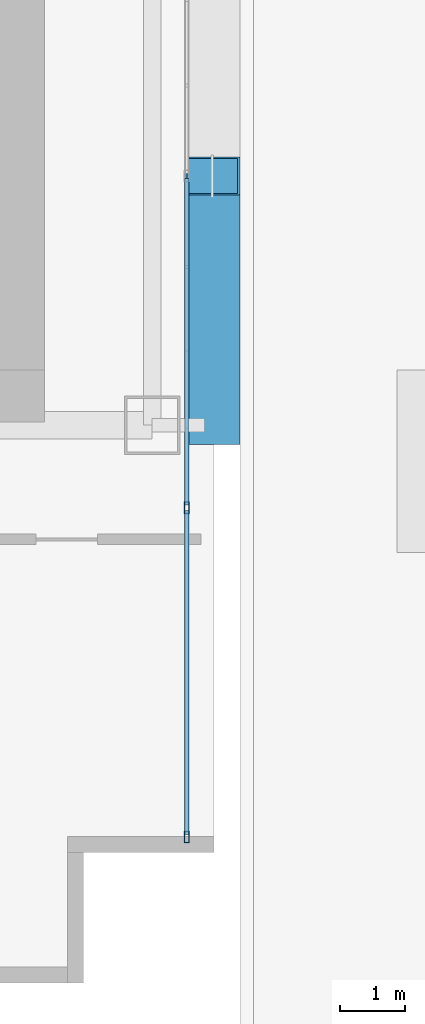
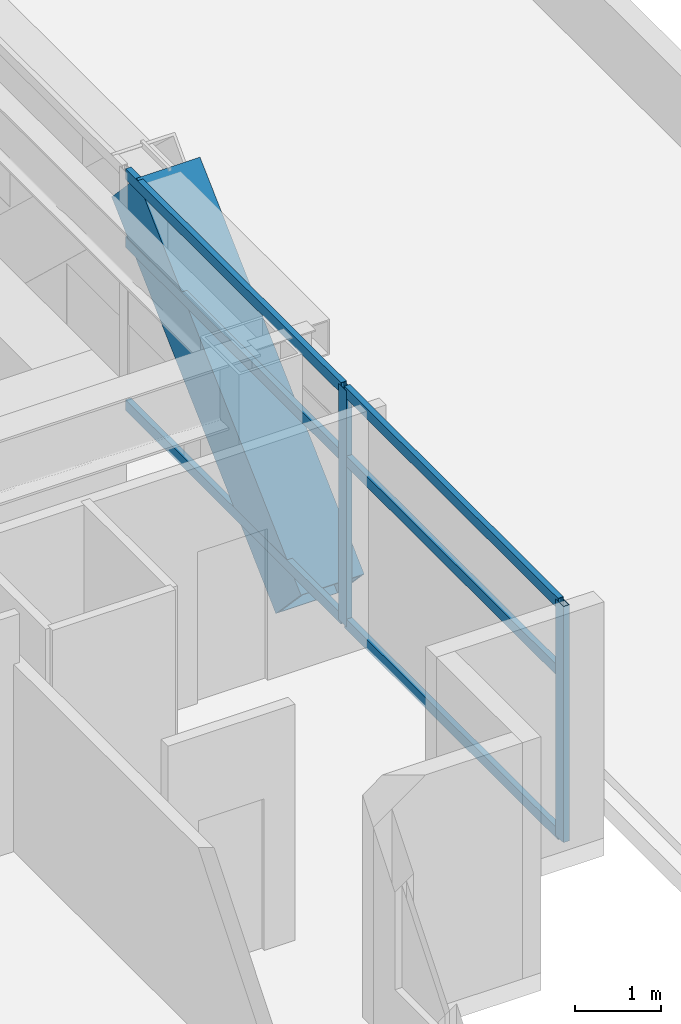
# One storey, part 11 of 35: 9 members, 1 element without a shape of its own.
"""IFC4 building model written with IfcOpenShell, lengths in metres."""

from ifc_helpers import new_model, si_unit, direction, frame, origin, origin_2d, place, context, subcontext, project, spatial, hollow_rectangle, extrude, source, transform, mapped, material, layer, layer_set, material_profile, profile_set, type_object, element, aggregate, save


model = new_model("IFC4")

# Units and contexts
model_context = context("Model", 3, precision=1e-05, world=origin(), true_north=direction((0.0, 1.0)))
body_context = subcontext(model_context, "Body", "Model", "MODEL_VIEW")
ifc_project = project(units=[si_unit("LENGTHUNIT", "METRE"), si_unit("AREAUNIT", "SQUARE_METRE"), si_unit("VOLUMEUNIT", "CUBIC_METRE"), si_unit("PLANEANGLEUNIT", "RADIAN"), si_unit("MASSUNIT", "GRAM", prefix="KILO")], contexts=[model_context])

# Site, building, storey
site_placement = place(None, origin())
site = spatial("IfcSite", under=ifc_project, at=site_placement, CompositionType="ELEMENT")
building_placement = place(site_placement, origin())
building = spatial("IfcBuilding", under=site, at=building_placement, Name="Ocotamira Hotel", CompositionType="ELEMENT")
storey_placement = place(building_placement, frame((0.0, 0.0, 34.800048828125)))
storey = spatial("IfcBuildingStorey", under=building, at=storey_placement, Name="L07", CompositionType="ELEMENT", Elevation=34.800048828125)

# Member
ifc_material_1 = material(Name="Pale-metal coated steel ASTM A913 Grade 65", Category="steel")
ifc_material_profile_1 = material_profile(ifc_material_1, hollow_rectangle(XDim=0.85009765625, YDim=0.85009765625, WallThickness=0.035888671875, at=origin_2d()), Name="BOX850X850X36")
ifc_profile_set_1 = profile_set([ifc_material_profile_1], Name="Pale-metal coated steel ASTM A913 Grade 65")
member_type_1 = type_object("IfcMemberType", Name="MEM-EXO-BOX850", PredefinedType="BRACE", material=ifc_profile_set_1)
shared_shape_1 = source(origin(), body_context, "Body", "SweptSolid", [
    extrude(hollow_rectangle(XDim=0.85009765625, YDim=0.85009765625, WallThickness=0.035888671875, at=origin_2d()), origin(), (0.0, 0.0, 1.0), 5.24658203125),
])
member_1_placement = place(storey_placement, frame((55.969970703125, 14.550048828125, -0.5), z_axis=(0.0, 0.72746596067, 0.686143772154), x_axis=(-1.0, 0.0, 0.0)))
element("IfcMember", 1, at=member_1_placement, inside=storey, type_object=member_type_1, Name="L07 Exoskeleton Diagrid E0.1", PredefinedType="BRACE", context=body_context, shape_type="MappedRepresentation", body=[
    mapped(shared_shape_1, transform((0.0, 0.0, 0.0), scale=1.0)),
])

# Curtain wall, members
ifc_material_2 = material(Name="Anodised pale-metal aluminium and solar glass", Category="aluminium")
ifc_layer = layer(ifc_material_2, 0.179931640625)
ifc_layer_set = layer_set([ifc_layer], Name="Anodised pale-metal aluminium and solar glass")
curtain_wall_type = type_object("IfcCurtainWallType", Name="CW-SYS2-Z1", PredefinedType="NOTDEFINED", material=ifc_layer_set)
curtain_wall_placement = place(storey_placement, origin())
curtain_wall = element("IfcCurtainWall", 2, at=curtain_wall_placement, inside=storey, type_object=curtain_wall_type, Name="L07 Curtain Wall CW-2 CW-L07-E", PredefinedType="NOTDEFINED")
ifc_material_3 = material(Name="Anodised pale-metal aluminium 6063-T6", Category="aluminium")
ifc_material_profile_2 = material_profile(ifc_material_3, hollow_rectangle(XDim=0.080078125, YDim=0.179931640625, WallThickness=0.006103515625, at=origin_2d()), Name="HSS180X80X6")
ifc_profile_set_2 = profile_set([ifc_material_profile_2], Name="Anodised pale-metal aluminium 6063-T6")
member_type_2 = type_object("IfcMemberType", Name="CWM-180X75", PredefinedType="MULLION", material=ifc_profile_set_2)
shared_shape_2 = source(origin(), body_context, "Body", "SweptSolid", [
    extrude(hollow_rectangle(XDim=0.080078125, YDim=0.179931640625, WallThickness=0.006103515625, at=origin_2d()), origin(), (0.0, 0.0, 1.0), 3.349853515625),
])
member_2_placement = place(storey_placement, frame((55.580078125, 8.239990234375, 0.0), z_axis=(0.0, 0.0, 1.0), x_axis=(-1.0, 0.0, 0.0)))
member_2 = element("IfcMember", 3, at=member_2_placement, type_object=member_type_2, Name="CW-2 mullion 1", PredefinedType="MULLION", context=body_context, shape_type="MappedRepresentation", body=[
    mapped(shared_shape_2, transform((0.0, 0.0, 0.0), scale=1.0)),
])
member_3_placement = place(storey_placement, frame((55.580078125, 13.28564453125, 0.0), z_axis=(0.0, 0.0, 1.0), x_axis=(-1.0, 0.0, 0.0)))
member_3 = element("IfcMember", 4, at=member_3_placement, type_object=member_type_2, Name="CW-2 mullion 2", PredefinedType="MULLION", context=body_context, shape_type="MappedRepresentation", body=[
    mapped(shared_shape_2, transform((0.0, 0.0, 0.0), scale=1.0)),
])
ifc_material_profile_3 = material_profile(ifc_material_3, hollow_rectangle(XDim=0.074951171875, YDim=0.14990234375, WallThickness=0.006103515625, at=origin_2d()), Name="HSS150X75X6")
ifc_profile_set_3 = profile_set([ifc_material_profile_3], Name="Anodised pale-metal aluminium 6063-T6")
member_type_3 = type_object("IfcMemberType", Name="CWT-150X75", PredefinedType="USERDEFINED", material=ifc_profile_set_3)
shared_shape_3 = source(origin(), body_context, "Body", "SweptSolid", [
    extrude(hollow_rectangle(XDim=0.074951171875, YDim=0.14990234375, WallThickness=0.006103515625, at=origin_2d()), origin(), (0.0, 0.0, 1.0), 4.965576171875),
])
member_4_placement = place(storey_placement, frame((55.580078125, 8.280029296875, 0.037353515625), z_axis=(0.0, 1.0, 0.0), x_axis=(-1.0, 0.0, 0.0)))
member_4 = element("IfcMember", 5, at=member_4_placement, type_object=member_type_3, Name="CW-2 transom 1.1", ObjectType="TRANSOM", PredefinedType="USERDEFINED", context=body_context, shape_type="MappedRepresentation", body=[
    mapped(shared_shape_3, transform((0.0, 0.0, 0.0), scale=1.0)),
])
member_5_placement = place(storey_placement, frame((55.580078125, 8.280029296875, 2.349853515625), z_axis=(0.0, 1.0, 0.0), x_axis=(-1.0, 0.0, 0.0)))
member_5 = element("IfcMember", 6, at=member_5_placement, type_object=member_type_3, Name="CW-2 transom 1.2", ObjectType="TRANSOM", PredefinedType="USERDEFINED", context=body_context, shape_type="MappedRepresentation", body=[
    mapped(shared_shape_3, transform((0.0, 0.0, 0.0), scale=1.0)),
])
member_6_placement = place(storey_placement, frame((55.580078125, 8.280029296875, 3.3125), z_axis=(0.0, 1.0, 0.0), x_axis=(-1.0, 0.0, 0.0)))
member_6 = element("IfcMember", 7, at=member_6_placement, type_object=member_type_3, Name="CW-2 transom 1.3", ObjectType="TRANSOM", PredefinedType="USERDEFINED", context=body_context, shape_type="MappedRepresentation", body=[
    mapped(shared_shape_3, transform((0.0, 0.0, 0.0), scale=1.0)),
])
shared_shape_4 = source(origin(), body_context, "Body", "SweptSolid", [
    extrude(hollow_rectangle(XDim=0.074951171875, YDim=0.14990234375, WallThickness=0.006103515625, at=origin_2d()), origin(), (0.0, 0.0, 1.0), 5.005859375),
])
member_7_placement = place(storey_placement, frame((55.580078125, 13.32568359375, 0.037353515625), z_axis=(0.0, 1.0, 0.0), x_axis=(-1.0, 0.0, 0.0)))
member_7 = element("IfcMember", 8, at=member_7_placement, type_object=member_type_3, Name="CW-2 transom 2.1", ObjectType="TRANSOM", PredefinedType="USERDEFINED", context=body_context, shape_type="MappedRepresentation", body=[
    mapped(shared_shape_4, transform((0.0, 0.0, 0.0), scale=1.0)),
])
member_8_placement = place(storey_placement, frame((55.580078125, 13.32568359375, 2.349853515625), z_axis=(0.0, 1.0, 0.0), x_axis=(-1.0, 0.0, 0.0)))
member_8 = element("IfcMember", 9, at=member_8_placement, type_object=member_type_3, Name="CW-2 transom 2.2", ObjectType="TRANSOM", PredefinedType="USERDEFINED", context=body_context, shape_type="MappedRepresentation", body=[
    mapped(shared_shape_4, transform((0.0, 0.0, 0.0), scale=1.0)),
])
member_9_placement = place(storey_placement, frame((55.580078125, 13.32568359375, 3.3125), z_axis=(0.0, 1.0, 0.0), x_axis=(-1.0, 0.0, 0.0)))
member_9 = element("IfcMember", 10, at=member_9_placement, type_object=member_type_3, Name="CW-2 transom 2.3", ObjectType="TRANSOM", PredefinedType="USERDEFINED", context=body_context, shape_type="MappedRepresentation", body=[
    mapped(shared_shape_4, transform((0.0, 0.0, 0.0), scale=1.0)),
])
aggregate(curtain_wall, [member_2, member_3, member_4, member_5, member_6, member_7, member_8, member_9])

save(model, "model.ifc")
